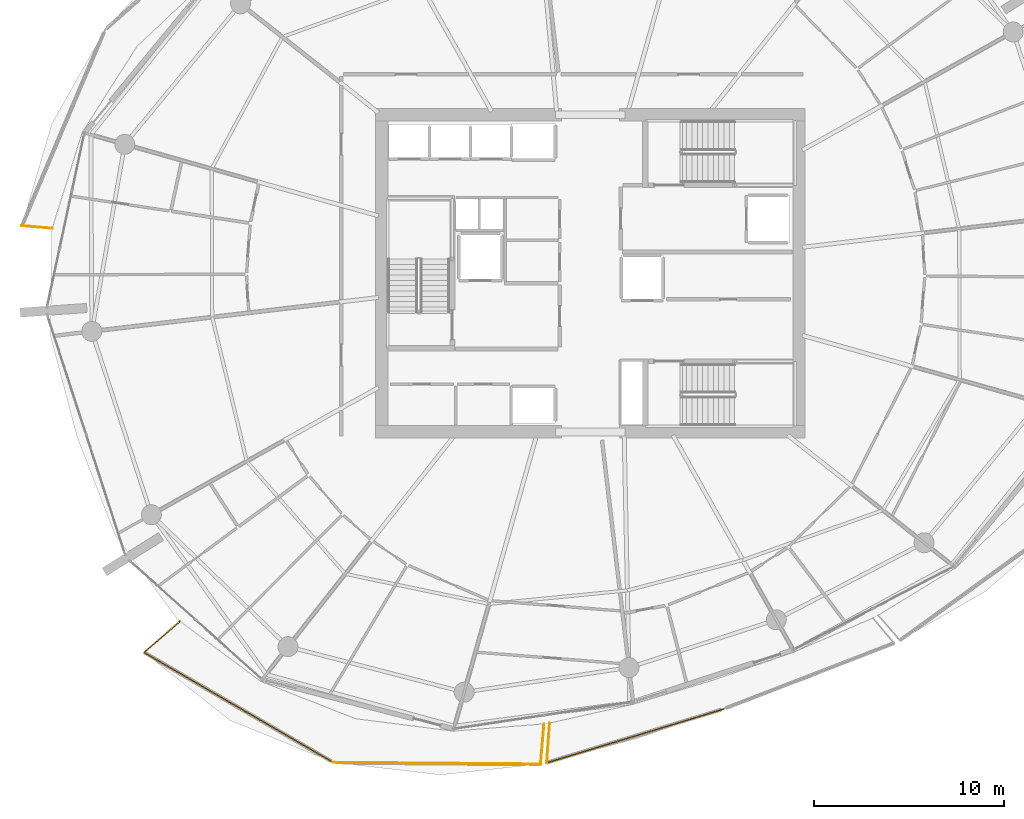
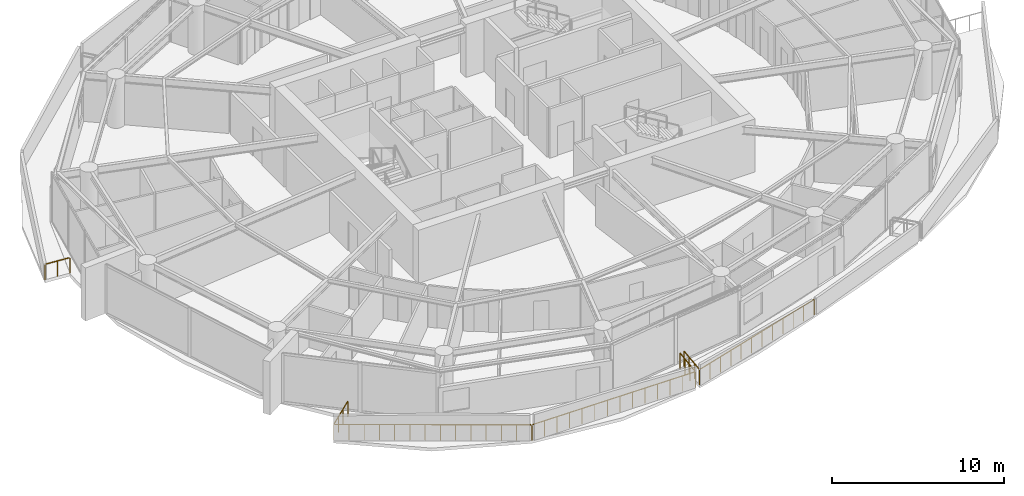
# One storey, part 16 of 20: 7 railings.
"""IFC4 building model written with IfcOpenShell, lengths in metres."""

from ifc_helpers import new_model, si_unit, direction, frame, origin, origin_2d, place, context, subcontext, project, spatial, rectangle, extrude, material, type_object, element, save


model = new_model("IFC4")

# Units and contexts
model_context = context("Model", 3, precision=1e-05, world=origin(), true_north=direction((0.0, 1.0)))
body_context = subcontext(model_context, "Body", "Model", "MODEL_VIEW")
ifc_project = project(units=[si_unit("LENGTHUNIT", "METRE"), si_unit("AREAUNIT", "SQUARE_METRE"), si_unit("VOLUMEUNIT", "CUBIC_METRE"), si_unit("PLANEANGLEUNIT", "RADIAN"), si_unit("MASSUNIT", "GRAM", prefix="KILO")], contexts=[model_context])

# Site, building, storey
site_placement = place(None, origin())
site = spatial("IfcSite", under=ifc_project, at=site_placement, CompositionType="ELEMENT")
building_placement = place(site_placement, origin())
building = spatial("IfcBuilding", under=site, at=building_placement, Name="Kazma Halo Residences", CompositionType="ELEMENT")
storey_placement = place(building_placement, frame((0.0, 0.0, 210.300048828125)))
storey = spatial("IfcBuildingStorey", under=building, at=storey_placement, Name="L53", CompositionType="ELEMENT", Elevation=210.300048828125)

# Railings
ifc_material = material(Name="Aluminium AW-6063 T6 Brushed Cap Rail", Category="aluminium")
railing_type = type_object("IfcRailingType", Name="RLG-BAL-CAP-1120", PredefinedType="BALUSTRADE", material=ifc_material)
railing_1_placement = place(storey_placement, frame((18.572509765625, 44.4970703125, 0.0)))
element("IfcRailing", 1, at=railing_1_placement, inside=storey, type_object=railing_type, Name="L53 NW wave balcony guard 4", PredefinedType="BALUSTRADE", context=body_context, shape_type="SweptSolid", body=[
    extrude(rectangle(XDim=0.050048828125, YDim=0.050048828125, at=origin_2d()), frame((0.04248046875, -0.003662109375, 1.09521484375), z_axis=(0.996416100688, -0.084586962884, 0.0), x_axis=(0.084586962884, 0.996416100688, 0.0)), (0.0, 0.0, 1.0), 1.513916015625),
    extrude(rectangle(XDim=0.0400390625, YDim=0.0400390625, at=origin_2d()), origin(), (0.0, 0.0, 1.0), 1.05810546875),
    extrude(rectangle(XDim=0.0400390625, YDim=0.0400390625, at=origin_2d()), frame((0.796630859375, -0.067626953125, 0.0)), (0.0, 0.0, 1.0), 1.05810546875),
    extrude(rectangle(XDim=0.0400390625, YDim=0.0400390625, at=origin_2d()), frame((1.59326171875, -0.13525390625, 0.0)), (0.0, 0.0, 1.0), 1.05810546875),
])
railing_2_placement = place(storey_placement, frame((26.869873046875, 23.728759765625, 0.0)))
element("IfcRailing", 2, at=railing_2_placement, inside=storey, type_object=railing_type, Name="L53 SW wave balcony guard 1", PredefinedType="BALUSTRADE", context=body_context, shape_type="SweptSolid", body=[
    extrude(rectangle(XDim=0.050048828125, YDim=0.050048828125, at=origin_2d()), frame((-0.0322265625, -0.02783203125, 1.09521484375), z_axis=(-0.756415545654, -0.654091371517, 0.0), x_axis=(0.654091371517, -0.756415545654, 0.0)), (0.0, 0.0, 1.0), 2.408203125),
    extrude(rectangle(XDim=0.0400390625, YDim=0.0400390625, at=origin_2d()), origin(), (0.0, 0.0, 1.0), 1.05810546875),
    extrude(rectangle(XDim=0.0400390625, YDim=0.0400390625, at=origin_2d()), frame((-0.628662109375, -0.543701171875, 0.0)), (0.0, 0.0, 1.0), 1.05810546875),
    extrude(rectangle(XDim=0.0400390625, YDim=0.0400390625, at=origin_2d()), frame((-1.25732421875, -1.087158203125, 0.0)), (0.0, 0.0, 1.0), 1.05810546875),
    extrude(rectangle(XDim=0.0400390625, YDim=0.0400390625, at=origin_2d()), frame((-1.885986328125, -1.630859375, 0.0)), (0.0, 0.0, 1.0), 1.05810546875),
])
railing_3_placement = place(storey_placement, frame((24.98388671875, 22.097900390625, 0.0)))
element("IfcRailing", 3, at=railing_3_placement, inside=storey, type_object=railing_type, Name="L53 SW wave balcony guard 2", PredefinedType="BALUSTRADE", context=body_context, shape_type="SweptSolid", body=[
    extrude(rectangle(XDim=0.050048828125, YDim=0.050048828125, at=origin_2d()), frame((0.036865234375, -0.021484375, 1.09521484375), z_axis=(0.864394010478, -0.502815070031, 0.0), x_axis=(0.502815070031, 0.864394010478, 0.0)), (0.0, 0.0, 1.0), 11.405029296875),
    extrude(rectangle(XDim=0.0400390625, YDim=0.0400390625, at=origin_2d()), origin(), (0.0, 0.0, 1.0), 1.05810546875),
    extrude(rectangle(XDim=0.0400390625, YDim=0.0400390625, at=origin_2d()), frame((0.763916015625, -0.4443359375, 0.0)), (0.0, 0.0, 1.0), 1.05810546875),
    extrude(rectangle(XDim=0.0400390625, YDim=0.0400390625, at=origin_2d()), frame((1.528076171875, -0.888916015625, 0.0)), (0.0, 0.0, 1.0), 1.05810546875),
    extrude(rectangle(XDim=0.0400390625, YDim=0.0400390625, at=origin_2d()), frame((2.2919921875, -1.333251953125, 0.0)), (0.0, 0.0, 1.0), 1.05810546875),
    extrude(rectangle(XDim=0.0400390625, YDim=0.0400390625, at=origin_2d()), frame((3.055908203125, -1.777587890625, 0.0)), (0.0, 0.0, 1.0), 1.05810546875),
    extrude(rectangle(XDim=0.0400390625, YDim=0.0400390625, at=origin_2d()), frame((3.820068359375, -2.22216796875, 0.0)), (0.0, 0.0, 1.0), 1.05810546875),
    extrude(rectangle(XDim=0.0400390625, YDim=0.0400390625, at=origin_2d()), frame((4.583984375, -2.66650390625, 0.0)), (0.0, 0.0, 1.0), 1.05810546875),
    extrude(rectangle(XDim=0.0400390625, YDim=0.0400390625, at=origin_2d()), frame((5.347900390625, -3.11083984375, 0.0)), (0.0, 0.0, 1.0), 1.05810546875),
    extrude(rectangle(XDim=0.0400390625, YDim=0.0400390625, at=origin_2d()), frame((6.11181640625, -3.55517578125, 0.0)), (0.0, 0.0, 1.0), 1.05810546875),
    extrude(rectangle(XDim=0.0400390625, YDim=0.0400390625, at=origin_2d()), frame((6.8759765625, -3.999755859375, 0.0)), (0.0, 0.0, 1.0), 1.05810546875),
    extrude(rectangle(XDim=0.0400390625, YDim=0.0400390625, at=origin_2d()), frame((7.639892578125, -4.444091796875, 0.0)), (0.0, 0.0, 1.0), 1.05810546875),
    extrude(rectangle(XDim=0.0400390625, YDim=0.0400390625, at=origin_2d()), frame((8.40380859375, -4.888427734375, 0.0)), (0.0, 0.0, 1.0), 1.05810546875),
    extrude(rectangle(XDim=0.0400390625, YDim=0.0400390625, at=origin_2d()), frame((9.16796875, -5.3330078125, 0.0)), (0.0, 0.0, 1.0), 1.05810546875),
    extrude(rectangle(XDim=0.0400390625, YDim=0.0400390625, at=origin_2d()), frame((9.931884765625, -5.77734375, 0.0)), (0.0, 0.0, 1.0), 1.05810546875),
])
railing_4_placement = place(storey_placement, frame((34.915771484375, 16.320556640625, 0.0)))
element("IfcRailing", 4, at=railing_4_placement, inside=storey, type_object=railing_type, Name="L53 SW wave balcony guard 3", PredefinedType="BALUSTRADE", context=body_context, shape_type="SweptSolid", body=[
    extrude(rectangle(XDim=0.050048828125, YDim=0.050048828125, at=origin_2d()), frame((0.04248046875, -0.000244140625, 1.09521484375), z_axis=(0.999967660867, -0.008042214935, 0.0), x_axis=(0.008042214935, 0.999967660867, 0.0)), (0.0, 0.0, 1.0), 10.813232421875),
    extrude(rectangle(XDim=0.0400390625, YDim=0.0400390625, at=origin_2d()), origin(), (0.0, 0.0, 1.0), 1.05810546875),
    extrude(rectangle(XDim=0.0400390625, YDim=0.0400390625, at=origin_2d()), frame((0.83837890625, -0.0068359375, 0.0)), (0.0, 0.0, 1.0), 1.05810546875),
    extrude(rectangle(XDim=0.0400390625, YDim=0.0400390625, at=origin_2d()), frame((1.676513671875, -0.013427734375, 0.0)), (0.0, 0.0, 1.0), 1.05810546875),
    extrude(rectangle(XDim=0.0400390625, YDim=0.0400390625, at=origin_2d()), frame((2.514892578125, -0.020263671875, 0.0)), (0.0, 0.0, 1.0), 1.05810546875),
    extrude(rectangle(XDim=0.0400390625, YDim=0.0400390625, at=origin_2d()), frame((3.353271484375, -0.02685546875, 0.0)), (0.0, 0.0, 1.0), 1.05810546875),
    extrude(rectangle(XDim=0.0400390625, YDim=0.0400390625, at=origin_2d()), frame((4.19140625, -0.03369140625, 0.0)), (0.0, 0.0, 1.0), 1.05810546875),
    extrude(rectangle(XDim=0.0400390625, YDim=0.0400390625, at=origin_2d()), frame((5.02978515625, -0.04052734375, 0.0)), (0.0, 0.0, 1.0), 1.05810546875),
    extrude(rectangle(XDim=0.0400390625, YDim=0.0400390625, at=origin_2d()), frame((5.8681640625, -0.047119140625, 0.0)), (0.0, 0.0, 1.0), 1.05810546875),
    extrude(rectangle(XDim=0.0400390625, YDim=0.0400390625, at=origin_2d()), frame((6.70654296875, -0.053955078125, 0.0)), (0.0, 0.0, 1.0), 1.05810546875),
    extrude(rectangle(XDim=0.0400390625, YDim=0.0400390625, at=origin_2d()), frame((7.544677734375, -0.060791015625, 0.0)), (0.0, 0.0, 1.0), 1.05810546875),
    extrude(rectangle(XDim=0.0400390625, YDim=0.0400390625, at=origin_2d()), frame((8.383056640625, -0.0673828125, 0.0)), (0.0, 0.0, 1.0), 1.05810546875),
    extrude(rectangle(XDim=0.0400390625, YDim=0.0400390625, at=origin_2d()), frame((9.221435546875, -0.07421875, 0.0)), (0.0, 0.0, 1.0), 1.05810546875),
    extrude(rectangle(XDim=0.0400390625, YDim=0.0400390625, at=origin_2d()), frame((10.0595703125, -0.080810546875, 0.0)), (0.0, 0.0, 1.0), 1.05810546875),
    extrude(rectangle(XDim=0.0400390625, YDim=0.0400390625, at=origin_2d()), frame((10.89794921875, -0.087646484375, 0.0)), (0.0, 0.0, 1.0), 1.05810546875),
])
railing_5_placement = place(storey_placement, frame((45.813720703125, 16.23291015625, 0.0)))
element("IfcRailing", 5, at=railing_5_placement, inside=storey, type_object=railing_type, Name="L53 SW wave balcony guard 4", PredefinedType="BALUSTRADE", context=body_context, shape_type="SweptSolid", body=[
    extrude(rectangle(XDim=0.050048828125, YDim=0.050048828125, at=origin_2d()), frame((0.003662109375, 0.04248046875, 1.09521484375), z_axis=(0.084580756862, 0.996416627505, 0.0), x_axis=(-0.996416627505, 0.084580756862, 0.0)), (0.0, 0.0, 1.0), 2.03369140625),
    extrude(rectangle(XDim=0.0400390625, YDim=0.0400390625, at=origin_2d()), origin(), (0.0, 0.0, 1.0), 1.05810546875),
    extrude(rectangle(XDim=0.0400390625, YDim=0.0400390625, at=origin_2d()), frame((0.059814453125, 0.70361328125, 0.0)), (0.0, 0.0, 1.0), 1.05810546875),
    extrude(rectangle(XDim=0.0400390625, YDim=0.0400390625, at=origin_2d()), frame((0.119384765625, 1.407470703125, 0.0)), (0.0, 0.0, 1.0), 1.05810546875),
    extrude(rectangle(XDim=0.0400390625, YDim=0.0400390625, at=origin_2d()), frame((0.17919921875, 2.111083984375, 0.0)), (0.0, 0.0, 1.0), 1.05810546875),
])
railing_6_placement = place(storey_placement, frame((46.286865234375, 18.387939453125, 0.0)))
element("IfcRailing", 6, at=railing_6_placement, inside=storey, type_object=railing_type, Name="L53 SSE wave balcony guard 1", PredefinedType="BALUSTRADE", context=body_context, shape_type="SweptSolid", body=[
    extrude(rectangle(XDim=0.050048828125, YDim=0.050048828125, at=origin_2d()), frame((-0.003173828125, -0.04248046875, 1.09521484375), z_axis=(-0.072480899171, -0.997369800653, 0.0), x_axis=(0.997369800653, -0.072480899171, 0.0)), (0.0, 0.0, 1.0), 2.010009765625),
    extrude(rectangle(XDim=0.0400390625, YDim=0.0400390625, at=origin_2d()), origin(), (0.0, 0.0, 1.0), 1.05810546875),
    extrude(rectangle(XDim=0.0400390625, YDim=0.0400390625, at=origin_2d()), frame((-0.050537109375, -0.696533203125, 0.0)), (0.0, 0.0, 1.0), 1.05810546875),
    extrude(rectangle(XDim=0.0400390625, YDim=0.0400390625, at=origin_2d()), frame((-0.101318359375, -1.39306640625, 0.0)), (0.0, 0.0, 1.0), 1.05810546875),
    extrude(rectangle(XDim=0.0400390625, YDim=0.0400390625, at=origin_2d()), frame((-0.15185546875, -2.089599609375, 0.0)), (0.0, 0.0, 1.0), 1.05810546875),
])
railing_7_placement = place(storey_placement, frame((46.135009765625, 16.29833984375, 0.0)))
element("IfcRailing", 7, at=railing_7_placement, inside=storey, type_object=railing_type, Name="L53 SSE wave balcony guard 2", PredefinedType="BALUSTRADE", context=body_context, shape_type="SweptSolid", body=[
    extrude(rectangle(XDim=0.050048828125, YDim=0.050048828125, at=origin_2d()), frame((0.040771484375, 0.012451171875, 1.09521484375), z_axis=(0.956821324416, 0.290676715859, 0.0), x_axis=(-0.290676715859, 0.956821324416, 0.0)), (0.0, 0.0, 1.0), 9.632568359375),
    extrude(rectangle(XDim=0.0400390625, YDim=0.0400390625, at=origin_2d()), origin(), (0.0, 0.0, 1.0), 1.05810546875),
    extrude(rectangle(XDim=0.0400390625, YDim=0.0400390625, at=origin_2d()), frame((0.84521484375, 0.2568359375, 0.0)), (0.0, 0.0, 1.0), 1.05810546875),
    extrude(rectangle(XDim=0.0400390625, YDim=0.0400390625, at=origin_2d()), frame((1.690673828125, 0.513671875, 0.0)), (0.0, 0.0, 1.0), 1.05810546875),
    extrude(rectangle(XDim=0.0400390625, YDim=0.0400390625, at=origin_2d()), frame((2.535888671875, 0.770263671875, 0.0)), (0.0, 0.0, 1.0), 1.05810546875),
    extrude(rectangle(XDim=0.0400390625, YDim=0.0400390625, at=origin_2d()), frame((3.381103515625, 1.027099609375, 0.0)), (0.0, 0.0, 1.0), 1.05810546875),
    extrude(rectangle(XDim=0.0400390625, YDim=0.0400390625, at=origin_2d()), frame((4.226318359375, 1.283935546875, 0.0)), (0.0, 0.0, 1.0), 1.05810546875),
    extrude(rectangle(XDim=0.0400390625, YDim=0.0400390625, at=origin_2d()), frame((5.07177734375, 1.540771484375, 0.0)), (0.0, 0.0, 1.0), 1.05810546875),
    extrude(rectangle(XDim=0.0400390625, YDim=0.0400390625, at=origin_2d()), frame((5.9169921875, 1.797607421875, 0.0)), (0.0, 0.0, 1.0), 1.05810546875),
    extrude(rectangle(XDim=0.0400390625, YDim=0.0400390625, at=origin_2d()), frame((6.76220703125, 2.054443359375, 0.0)), (0.0, 0.0, 1.0), 1.05810546875),
    extrude(rectangle(XDim=0.0400390625, YDim=0.0400390625, at=origin_2d()), frame((7.607421875, 2.31103515625, 0.0)), (0.0, 0.0, 1.0), 1.05810546875),
    extrude(rectangle(XDim=0.0400390625, YDim=0.0400390625, at=origin_2d()), frame((8.452880859375, 2.56787109375, 0.0)), (0.0, 0.0, 1.0), 1.05810546875),
    extrude(rectangle(XDim=0.0400390625, YDim=0.0400390625, at=origin_2d()), frame((9.298095703125, 2.82470703125, 0.0)), (0.0, 0.0, 1.0), 1.05810546875),
])

save(model, "model.ifc")
